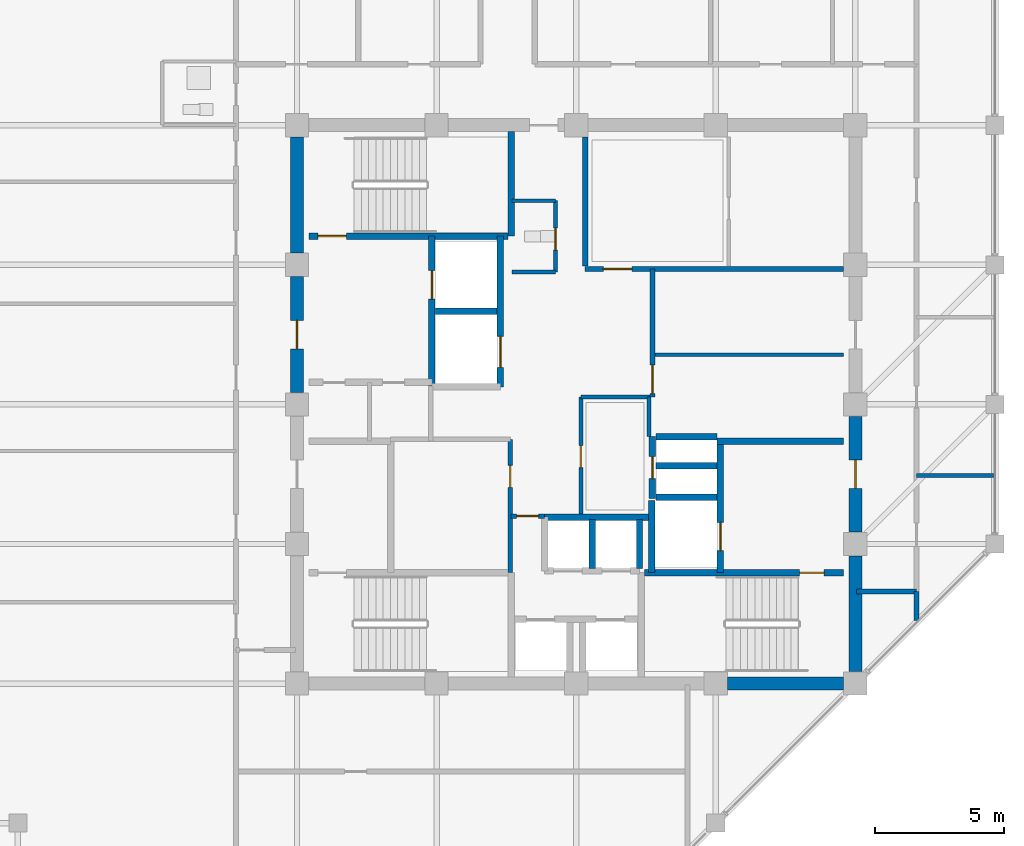
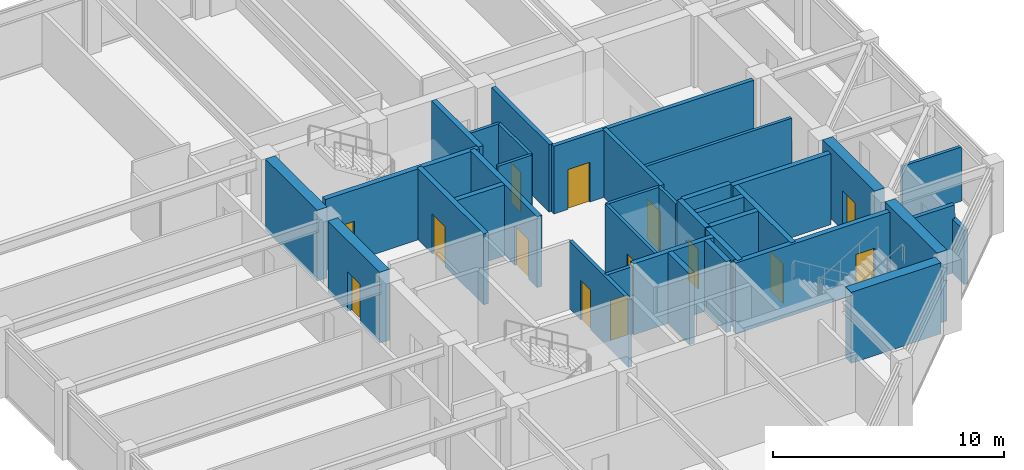
# One storey, part 27 of 31: 36 walls, 14 doors, 14 openings.
"""IFC4 building model written with IfcOpenShell, lengths in metres."""

from ifc_helpers import new_model, si_unit, direction, frame, frame_2d, origin, place, context, subcontext, project, spatial, rectangle, extrude, material, layer, layer_set, type_object, element, fill, save


model = new_model("IFC4")

# Units and contexts
model_context = context("Model", 3, precision=1e-05, world=origin(), true_north=direction((0.0, 1.0)))
body_context = subcontext(model_context, "Body", "Model", "MODEL_VIEW")
ifc_project = project(units=[si_unit("LENGTHUNIT", "METRE"), si_unit("AREAUNIT", "SQUARE_METRE"), si_unit("VOLUMEUNIT", "CUBIC_METRE"), si_unit("PLANEANGLEUNIT", "RADIAN"), si_unit("MASSUNIT", "GRAM", prefix="KILO")], contexts=[model_context])

# Site, building, storey
site_placement = place(None, origin())
site = spatial("IfcSite", under=ifc_project, at=site_placement, CompositionType="ELEMENT")
building_placement = place(site_placement, origin())
building = spatial("IfcBuilding", under=site, at=building_placement, Name="Surkhivell Harbour Commons", CompositionType="ELEMENT")
storey_placement = place(building_placement, frame((0.0, 0.0, 288.75)))
storey = spatial("IfcBuildingStorey", under=building, at=storey_placement, Name="L75", CompositionType="ELEMENT", Elevation=288.75)

# Wall
ifc_material_1 = material(Name="Concrete C50/60", Category="concrete")
ifc_layer_1 = layer(ifc_material_1, 0.5)
ifc_layer_set_1 = layer_set([ifc_layer_1], Name="Concrete C50/60")
wall_type_1 = type_object("IfcWallType", Name="WAL-CORE-500", PredefinedType="SHEAR", material=ifc_layer_set_1)
wall_1_placement = place(storey_placement, frame((10.800048828125, -10.340087890625, 0.0), z_axis=(0.0, 0.0, 1.0), x_axis=(0.0, 1.0, 0.0)))
element("IfcWall", 1, at=wall_1_placement, inside=storey, type_object=wall_type_1, Name="L75 Core Shear Wall East 1", PredefinedType="SHEAR", context=body_context, shape_type="SweptSolid", body=[
    extrude(rectangle(XDim=4.47998046875, YDim=0.5, at=frame_2d((2.239990234375, 0.0))), origin(), (0.0, 0.0, 1.0), 3.75),
])

# Wall, opening, door
wall_2_placement = place(storey_placement, frame((10.800048828125, -4.93994140625, 0.0), z_axis=(0.0, 0.0, 1.0), x_axis=(0.0, 1.0, 0.0)))
wall_2 = element("IfcWall", 2, at=wall_2_placement, inside=storey, type_object=wall_type_1, Name="L75 Core Shear Wall East 2", PredefinedType="SHEAR", context=body_context, shape_type="SweptSolid", body=[
    extrude(rectangle(XDim=4.47998046875, YDim=0.5, at=frame_2d((2.239990234375, 0.0))), origin(), (0.0, 0.0, 1.0), 3.75),
])
opening_1_placement = place(wall_2_placement, frame((1.68994140625, 0.0, 0.0)))
opening_1 = element("IfcOpeningElement", 3, at=opening_1_placement, cuts=wall_2, Name="Opening ID-1", PredefinedType="OPENING", context=body_context, shape_type="SweptSolid", body=[
    extrude(rectangle(XDim=1.10009765625, YDim=2.10009765625, at=frame_2d((0.550048828125, 1.050048828125))), frame((0.0, 0.260009765625, 0.0), z_axis=(0.0, -1.0, 0.0), x_axis=(1.0, 0.0, 0.0)), (0.0, 0.0, 1.0), 0.52001953125),
])
ifc_material_2 = material(Name="Hardwood-veneered fire-rated door leaf", Category="wood")
door_type_1 = type_object("IfcDoorType", Name="DOR-FD120-1100", OperationType="NOTDEFINED", PredefinedType="DOOR", material=ifc_material_2)
door_1_placement = place(opening_1_placement, origin())
door_1 = element("IfcDoor", 4, at=door_1_placement, inside=storey, type_object=door_type_1, Name="L75 Firefighting Lobby 2 Corridor Door", OperationType="SINGLE_SWING_RIGHT", OverallHeight=2.10009765625, OverallWidth=1.10009765625, PredefinedType="DOOR", context=body_context, shape_type="SweptSolid", body=[
    extrude(rectangle(XDim=1.10009765625, YDim=2.10009765625, at=frame_2d((0.550048828125, 1.050048828125))), frame((0.0, 0.02490234375, 0.0), z_axis=(0.0, -1.0, 0.0), x_axis=(1.0, 0.0, 0.0)), (0.0, 0.0, 1.0), 0.050048828125),
])
fill(opening_1, door_1)

wall_3_placement = place(storey_placement, frame((-10.800048828125, 0.4599609375, 0.0), z_axis=(0.0, 0.0, 1.0), x_axis=(0.0, 1.0, 0.0)))
wall_3 = element("IfcWall", 5, at=wall_3_placement, inside=storey, type_object=wall_type_1, Name="L75 Core Shear Wall West 3", PredefinedType="SHEAR", context=body_context, shape_type="SweptSolid", body=[
    extrude(rectangle(XDim=4.47998046875, YDim=0.5, at=frame_2d((2.239990234375, 0.0))), origin(), (0.0, 0.0, 1.0), 3.75),
])
opening_2_placement = place(wall_3_placement, frame((1.68994140625, 0.0, 0.0)))
opening_2 = element("IfcOpeningElement", 6, at=opening_2_placement, cuts=wall_3, Name="Opening ID-1", PredefinedType="OPENING", context=body_context, shape_type="SweptSolid", body=[
    extrude(rectangle(XDim=1.10009765625, YDim=2.10009765625, at=frame_2d((0.550048828125, 1.050048828125))), frame((0.0, 0.260009765625, 0.0), z_axis=(0.0, -1.0, 0.0), x_axis=(1.0, 0.0, 0.0)), (0.0, 0.0, 1.0), 0.52001953125),
])
door_2_placement = place(opening_2_placement, origin())
door_2 = element("IfcDoor", 7, at=door_2_placement, inside=storey, type_object=door_type_1, Name="L75 Firefighting Lobby 1 Corridor Door", OperationType="SINGLE_SWING_LEFT", OverallHeight=2.10009765625, OverallWidth=1.10009765625, PredefinedType="DOOR", context=body_context, shape_type="SweptSolid", body=[
    extrude(rectangle(XDim=1.10009765625, YDim=2.10009765625, at=frame_2d((0.550048828125, 1.050048828125))), frame((0.0, 0.02490234375, 0.0), z_axis=(0.0, -1.0, 0.0), x_axis=(1.0, 0.0, 0.0)), (0.0, 0.0, 1.0), 0.050048828125),
])
fill(opening_2, door_2)

# Walls
for number, where, z_axis, x_axis, name in (
    (8, (5.860107421875, -10.800048828125, 0.0), (0.0, 0.0, 1.0), (1.0, 0.0, 0.0), "L75 Core Shear Wall South 4"),
    (9, (-10.800048828125, 5.860107421875, 0.0), (0.0, 0.0, 1.0), (0.0, 1.0, 0.0), "L75 Core Shear Wall West 4"),
):
    element("IfcWall", number, at=place(storey_placement, frame(where, z_axis=z_axis, x_axis=x_axis)), inside=storey, type_object=wall_type_1, Name=name, PredefinedType="SHEAR", context=body_context, shape_type="SweptSolid", body=[
        extrude(rectangle(XDim=4.47998046875, YDim=0.5, at=frame_2d((2.239990234375, 0.0))), origin(), (0.0, 0.0, 1.0), 3.75),
    ])

# Wall, opening, door
ifc_material_3 = material(Name="Twin-stud acoustic fireboard partition", Category="other")
ifc_layer_2 = layer(ifc_material_3, 0.14990234375)
ifc_layer_set_2 = layer_set([ifc_layer_2], Name="Twin-stud acoustic fireboard partition")
wall_type_2 = type_object("IfcWallType", Name="WAL-INT-150", PredefinedType="PARTITIONING", material=ifc_layer_set_2)
wall_4_placement = place(storey_placement, frame((-0.800048828125, 5.1201171875, 0.0), z_axis=(0.0, 0.0, 1.0), x_axis=(0.0, 1.0, 0.0)))
wall_4 = element("IfcWall", 10, at=wall_4_placement, inside=storey, type_object=wall_type_2, Name="L75 Core Accessible WC East Wall", PredefinedType="PARTITIONING", context=body_context, shape_type="SweptSolid", body=[
    extrude(rectangle(XDim=2.759765625, YDim=0.14990234375, at=frame_2d((1.3798828125, 0.0))), origin(), (0.0, 0.0, 1.0), 3.570068359375),
])
opening_3_placement = place(wall_4_placement, frame((0.85009765625, 0.0, 0.0)))
opening_3 = element("IfcOpeningElement", 11, at=opening_3_placement, cuts=wall_4, Name="Opening ID-6", PredefinedType="OPENING", context=body_context, shape_type="SweptSolid", body=[
    extrude(rectangle(XDim=0.85009765625, YDim=2.10009765625, at=frame_2d((0.425048828125, 1.050048828125))), frame((0.0, 0.0849609375, 0.0), z_axis=(0.0, -1.0, 0.0), x_axis=(1.0, 0.0, 0.0)), (0.0, 0.0, 1.0), 0.169921875),
])
door_type_2 = type_object("IfcDoorType", Name="DOR-FD30-850", OperationType="NOTDEFINED", PredefinedType="DOOR", material=ifc_material_2)
door_3_placement = place(opening_3_placement, origin())
door_3 = element("IfcDoor", 12, at=door_3_placement, inside=storey, type_object=door_type_2, Name="L75 Floor Accessible WC Door", OperationType="SINGLE_SWING_LEFT", OverallHeight=2.10009765625, OverallWidth=0.85009765625, PredefinedType="DOOR", context=body_context, shape_type="SweptSolid", body=[
    extrude(rectangle(XDim=0.85009765625, YDim=2.10009765625, at=frame_2d((0.425048828125, 1.050048828125))), frame((0.0, 0.02490234375, 0.0), z_axis=(0.0, -1.0, 0.0), x_axis=(1.0, 0.0, 0.0)), (0.0, 0.0, 1.0), 0.050048828125),
])
fill(opening_3, door_3)

# Walls
for number, where, z_axis, x_axis, name in (
    (13, (-2.47998046875, 7.8798828125, 0.0), (0.0, 0.0, 1.0), (1.0, 0.0, 0.0), "L75 Core Accessible WC North Wall"),
    (14, (-2.47998046875, 5.1201171875, 0.0), (0.0, 0.0, 1.0), (1.0, 0.0, 0.0), "L75 Core Accessible WC South Wall"),
):
    element("IfcWall", number, at=place(storey_placement, frame(where, z_axis=z_axis, x_axis=x_axis)), inside=storey, type_object=wall_type_2, Name=name, PredefinedType="PARTITIONING", context=body_context, shape_type="SweptSolid", body=[
        extrude(rectangle(XDim=1.679931640625, YDim=0.14990234375, at=frame_2d((0.83984375, 0.0))), origin(), (0.0, 0.0, 1.0), 3.570068359375),
    ])
wall_5_placement = place(storey_placement, frame((2.820068359375, -1.25, 0.0), z_axis=(0.0, 0.0, 1.0), x_axis=(0.0, 1.0, 0.0)))
element("IfcWall", 15, at=wall_5_placement, inside=storey, type_object=wall_type_2, Name="L75 Central Music East Wall", PredefinedType="PARTITIONING", context=body_context, shape_type="SweptSolid", body=[
    extrude(rectangle(XDim=1.530029296875, YDim=0.14990234375, at=frame_2d((0.76513671875, 0.0))), origin(), (0.0, 0.0, 1.0), 3.570068359375),
])
wall_6_placement = place(storey_placement, frame((0.179931640625, 0.280029296875, 0.0), z_axis=(0.0, 0.0, 1.0), x_axis=(1.0, 0.0, 0.0)))
element("IfcWall", 16, at=wall_6_placement, inside=storey, type_object=wall_type_2, Name="L75 Central Music North Wall", PredefinedType="PARTITIONING", context=body_context, shape_type="SweptSolid", body=[
    extrude(rectangle(XDim=2.670166015625, YDim=0.14990234375, at=frame_2d((1.3349609375, 0.0))), origin(), (0.0, 0.0, 1.0), 3.570068359375),
])

# Wall, opening, door
wall_7_placement = place(storey_placement, frame((0.179931640625, -4.25, 0.0), z_axis=(0.0, 0.0, 1.0), x_axis=(0.0, 1.0, 0.0)))
wall_7 = element("IfcWall", 17, at=wall_7_placement, inside=storey, type_object=wall_type_2, Name="L75 Central Music West Wall", PredefinedType="PARTITIONING", context=body_context, shape_type="SweptSolid", body=[
    extrude(rectangle(XDim=4.530029296875, YDim=0.14990234375, at=frame_2d((2.26513671875, 0.0))), origin(), (0.0, 0.0, 1.0), 3.570068359375),
])
opening_4_placement = place(wall_7_placement, frame((1.800048828125, 0.0, 0.0)))
opening_4 = element("IfcOpeningElement", 18, at=opening_4_placement, cuts=wall_7, Name="Opening ID-6", PredefinedType="OPENING", context=body_context, shape_type="SweptSolid", body=[
    extrude(rectangle(XDim=0.85009765625, YDim=2.10009765625, at=frame_2d((0.425048828125, 1.050048828125))), frame((0.0, 0.0849609375, 0.0), z_axis=(0.0, -1.0, 0.0), x_axis=(1.0, 0.0, 0.0)), (0.0, 0.0, 1.0), 0.169921875),
])
door_4_placement = place(opening_4_placement, origin())
door_4 = element("IfcDoor", 19, at=door_4_placement, inside=storey, type_object=door_type_2, Name="L75 Central Music Door", OperationType="SINGLE_SWING_RIGHT", OverallHeight=2.10009765625, OverallWidth=0.85009765625, PredefinedType="DOOR", context=body_context, shape_type="SweptSolid", body=[
    extrude(rectangle(XDim=0.85009765625, YDim=2.10009765625, at=frame_2d((0.425048828125, 1.050048828125))), frame((0.0, 0.02490234375, 0.0), z_axis=(0.0, -1.0, 0.0), x_axis=(1.0, 0.0, 0.0)), (0.0, 0.0, 1.0), 0.050048828125),
])
fill(opening_4, door_4)

# Walls
wall_8_placement = place(storey_placement, frame((2.949951171875, 1.919921875, 0.0), z_axis=(0.0, 0.0, 1.0), x_axis=(1.0, 0.0, 0.0)))
element("IfcWall", 20, at=wall_8_placement, inside=storey, type_object=wall_type_2, Name="L75 Quiet Study Wall", PredefinedType="PARTITIONING", context=body_context, shape_type="SweptSolid", body=[
    extrude(rectangle(XDim=7.39013671875, YDim=0.14990234375, at=frame_2d((3.695068359375, 0.0))), origin(), (0.0, 0.0, 1.0), 3.570068359375),
])
wall_9_placement = place(storey_placement, frame((13.159912109375, -2.75, 0.0), z_axis=(0.0, 0.0, 1.0), x_axis=(1.0, 0.0, 0.0)))
element("IfcWall", 21, at=wall_9_placement, inside=storey, type_object=wall_type_2, Name="L75 East Partition P1", PredefinedType="PARTITIONING", context=body_context, shape_type="SweptSolid", body=[
    extrude(rectangle(XDim=2.97998046875, YDim=0.14990234375, at=frame_2d((1.489990234375, 0.0))), origin(), (0.0, 0.0, 1.0), 2.85693359375),
])

# Wall, opening, door
ifc_material_4 = material(Name="High-density acoustic blockwork fire partition", Category="masonry")
ifc_layer_3 = layer(ifc_material_4, 0.175048828125)
ifc_layer_set_3 = layer_set([ifc_layer_3], Name="High-density acoustic blockwork fire partition")
wall_type_3 = type_object("IfcWallType", Name="WAL-INT-175", PredefinedType="PARTITIONING", material=ifc_layer_set_3)
wall_10_placement = place(storey_placement, frame((-2.550048828125, -6.510009765625, 0.0), z_axis=(0.0, 0.0, 1.0), x_axis=(0.0, 1.0, 0.0)))
wall_10 = element("IfcWall", 22, at=wall_10_placement, inside=storey, type_object=wall_type_3, Name="L75 Core Service Bay East Wall", PredefinedType="PARTITIONING", context=body_context, shape_type="SweptSolid", body=[
    extrude(rectangle(XDim=5.159912109375, YDim=0.175048828125, at=frame_2d((2.580078125, 0.0))), origin(), (0.0, 0.0, 1.0), 3.570068359375),
])
opening_5_placement = place(wall_10_placement, frame((3.300048828125, 0.0, 0.0)))
opening_5 = element("IfcOpeningElement", 23, at=opening_5_placement, cuts=wall_10, Name="Opening ID-6", PredefinedType="OPENING", context=body_context, shape_type="SweptSolid", body=[
    extrude(rectangle(XDim=0.85009765625, YDim=2.10009765625, at=frame_2d((0.425048828125, 1.050048828125))), frame((0.0, 0.097412109375, 0.0), z_axis=(0.0, -1.0, 0.0), x_axis=(1.0, 0.0, 0.0)), (0.0, 0.0, 1.0), 0.195068359375),
])
door_5_placement = place(opening_5_placement, origin())
door_5 = element("IfcDoor", 24, at=door_5_placement, inside=storey, type_object=door_type_2, Name="L75 Core Quiet Reading Door", OperationType="SINGLE_SWING_RIGHT", OverallHeight=2.10009765625, OverallWidth=0.85009765625, PredefinedType="DOOR", context=body_context, shape_type="SweptSolid", body=[
    extrude(rectangle(XDim=0.85009765625, YDim=2.10009765625, at=frame_2d((0.425048828125, 1.050048828125))), frame((0.0, 0.02490234375, 0.0), z_axis=(0.0, -1.0, 0.0), x_axis=(1.0, 0.0, 0.0)), (0.0, 0.0, 1.0), 0.050048828125),
])
fill(opening_5, door_5)

wall_11_placement = place(storey_placement, frame((-2.52001953125, -4.320068359375, 0.0), z_axis=(0.0, 0.0, 1.0), x_axis=(1.0, 0.0, 0.0)))
wall_11 = element("IfcWall", 25, at=wall_11_placement, inside=storey, type_object=wall_type_3, Name="L75 High-Rise Lobby North Portal Wall", PredefinedType="PARTITIONING", context=body_context, shape_type="SweptSolid", body=[
    extrude(rectangle(XDim=1.300048828125, YDim=0.175048828125, at=frame_2d((0.64990234375, 0.0))), origin(), (0.0, 0.0, 1.0), 3.570068359375),
])
opening_6_placement = place(wall_11_placement, frame((0.219970703125, 0.0, 0.0)))
opening_6 = element("IfcOpeningElement", 26, at=opening_6_placement, cuts=wall_11, Name="Opening ID-6", PredefinedType="OPENING", context=body_context, shape_type="SweptSolid", body=[
    extrude(rectangle(XDim=0.85009765625, YDim=2.10009765625, at=frame_2d((0.425048828125, 1.050048828125))), frame((0.0, 0.097412109375, 0.0), z_axis=(0.0, -1.0, 0.0), x_axis=(1.0, 0.0, 0.0)), (0.0, 0.0, 1.0), 0.195068359375),
])
door_6_placement = place(opening_6_placement, origin())
door_6 = element("IfcDoor", 27, at=door_6_placement, inside=storey, type_object=door_type_2, Name="L75 High-Rise Lift Lobby North Door", OperationType="SINGLE_SWING_LEFT", OverallHeight=2.10009765625, OverallWidth=0.85009765625, PredefinedType="DOOR", context=body_context, shape_type="SweptSolid", body=[
    extrude(rectangle(XDim=0.85009765625, YDim=2.10009765625, at=frame_2d((0.425048828125, 1.050048828125))), frame((0.0, 0.02490234375, 0.0), z_axis=(0.0, -1.0, 0.0), x_axis=(1.0, 0.0, 0.0)), (0.0, 0.0, 1.0), 0.050048828125),
])
fill(opening_6, door_6)

ifc_material_5 = material(Name="Autoclaved aerated concrete blockwork and fire plaster", Category="masonry")
ifc_layer_4 = layer(ifc_material_5, 0.199951171875)
ifc_layer_set_4 = layer_set([ifc_layer_4], Name="Autoclaved aerated concrete blockwork and fire plaster")
wall_type_4 = type_object("IfcWallType", Name="WAL-INT-200", PredefinedType="PARTITIONING", material=ifc_layer_set_4)
wall_12_placement = place(storey_placement, frame((0.35009765625, 5.239990234375, 0.0), z_axis=(0.0, 0.0, 1.0), x_axis=(1.0, 0.0, 0.0)))
wall_12 = element("IfcWall", 28, at=wall_12_placement, inside=storey, type_object=wall_type_4, Name="L75 Reclaimed Core North Bay South Wall", PredefinedType="PARTITIONING", context=body_context, shape_type="SweptSolid", body=[
    extrude(rectangle(XDim=9.989990234375, YDim=0.199951171875, at=frame_2d((4.9951171875, 0.0))), origin(), (0.0, 0.0, 1.0), 3.570068359375),
])
opening_7_placement = place(wall_12_placement, frame((0.699951171875, 0.0, 0.0)))
opening_7 = element("IfcOpeningElement", 29, at=opening_7_placement, cuts=wall_12, Name="Opening ID-2", PredefinedType="OPENING", context=body_context, shape_type="SweptSolid", body=[
    extrude(rectangle(XDim=1.10009765625, YDim=2.10009765625, at=frame_2d((0.550048828125, 1.050048828125))), frame((0.0, 0.10986328125, 0.0), z_axis=(0.0, -1.0, 0.0), x_axis=(1.0, 0.0, 0.0)), (0.0, 0.0, 1.0), 0.219970703125),
])
door_type_3 = type_object("IfcDoorType", Name="DOR-FD60-1100", OperationType="NOTDEFINED", PredefinedType="DOOR", material=ifc_material_2)
door_7_placement = place(opening_7_placement, origin())
door_7 = element("IfcDoor", 30, at=door_7_placement, inside=storey, type_object=door_type_3, Name="L75 Core Seminar Door", OperationType="SINGLE_SWING_LEFT", OverallHeight=2.10009765625, OverallWidth=1.10009765625, PredefinedType="DOOR", context=body_context, shape_type="SweptSolid", body=[
    extrude(rectangle(XDim=1.10009765625, YDim=2.10009765625, at=frame_2d((0.550048828125, 1.050048828125))), frame((0.0, 0.02490234375, 0.0), z_axis=(0.0, -1.0, 0.0), x_axis=(1.0, 0.0, 0.0)), (0.0, 0.0, 1.0), 0.050048828125),
])
fill(opening_7, door_7)

# Walls
wall_13_placement = place(storey_placement, frame((0.35009765625, 5.360107421875, 0.0), z_axis=(0.0, 0.0, 1.0), x_axis=(0.0, 1.0, 0.0)))
element("IfcWall", 31, at=wall_13_placement, inside=storey, type_object=wall_type_4, Name="L75 Reclaimed Core North Bay West Wall", PredefinedType="PARTITIONING", context=body_context, shape_type="SweptSolid", body=[
    extrude(rectangle(XDim=4.97998046875, YDim=0.199951171875, at=frame_2d((2.489990234375, 0.0))), origin(), (0.0, 0.0, 1.0), 3.570068359375),
])
wall_14_placement = place(storey_placement, frame((13.159912109375, -8.355224609375, 0.0), z_axis=(0.0, 0.0, 1.0), x_axis=(0.0, 1.0, 0.0)))
element("IfcWall", 32, at=wall_14_placement, inside=storey, type_object=wall_type_4, Name="L75 East Wing South Closure Wall", PredefinedType="PARTITIONING", context=body_context, shape_type="SweptSolid", body=[
    extrude(rectangle(XDim=1.115234375, YDim=0.199951171875, at=frame_2d((0.5576171875, 0.0))), origin(), (0.0, 0.0, 1.0), 2.85693359375),
])
wall_15_placement = place(storey_placement, frame((10.85009765625, -7.239990234375, 0.0), z_axis=(0.0, 0.0, 1.0), x_axis=(1.0, 0.0, 0.0)))
element("IfcWall", 33, at=wall_15_placement, inside=storey, type_object=wall_type_4, Name="L75 East Corridor South Closure Wall", PredefinedType="PARTITIONING", context=body_context, shape_type="SweptSolid", body=[
    extrude(rectangle(XDim=2.309814453125, YDim=0.199951171875, at=frame_2d((1.15478515625, 0.0))), origin(), (0.0, 0.0, 1.0), 3.570068359375),
])

# Wall, opening, door
wall_16_placement = place(storey_placement, frame((2.949951171875, 0.280029296875, 0.0), z_axis=(0.0, 0.0, 1.0), x_axis=(0.0, 1.0, 0.0)))
wall_16 = element("IfcWall", 34, at=wall_16_placement, inside=storey, type_object=wall_type_4, Name="L75 Reclaimed East Core West Wall", PredefinedType="PARTITIONING", context=body_context, shape_type="SweptSolid", body=[
    extrude(rectangle(XDim=4.9599609375, YDim=0.199951171875, at=frame_2d((2.47998046875, 0.0))), origin(), (0.0, 0.0, 1.0), 3.570068359375),
])
opening_8_placement = place(wall_16_placement, frame((0.139892578125, 0.0, 0.0)))
opening_8 = element("IfcOpeningElement", 35, at=opening_8_placement, cuts=wall_16, Name="Opening ID-2", PredefinedType="OPENING", context=body_context, shape_type="SweptSolid", body=[
    extrude(rectangle(XDim=1.10009765625, YDim=2.10009765625, at=frame_2d((0.550048828125, 1.050048828125))), frame((0.0, 0.10986328125, 0.0), z_axis=(0.0, -1.0, 0.0), x_axis=(1.0, 0.0, 0.0)), (0.0, 0.0, 1.0), 0.219970703125),
])
door_8_placement = place(opening_8_placement, origin())
door_8 = element("IfcDoor", 36, at=door_8_placement, inside=storey, type_object=door_type_3, Name="L75 Quiet Study A Door", OperationType="SINGLE_SWING_LEFT", OverallHeight=2.10009765625, OverallWidth=1.10009765625, PredefinedType="DOOR", context=body_context, shape_type="SweptSolid", body=[
    extrude(rectangle(XDim=1.10009765625, YDim=2.10009765625, at=frame_2d((0.550048828125, 1.050048828125))), frame((0.0, 0.02490234375, 0.0), z_axis=(0.0, -1.0, 0.0), x_axis=(1.0, 0.0, 0.0)), (0.0, 0.0, 1.0), 0.050048828125),
])
fill(opening_8, door_8)

ifc_layer_5 = layer(ifc_material_1, 0.25)
ifc_layer_set_5 = layer_set([ifc_layer_5], Name="Concrete C50/60")
wall_type_5 = type_object("IfcWallType", Name="WAL-SHAFT-250", PredefinedType="SHEAR", material=ifc_layer_set_5)
wall_17_placement = place(storey_placement, frame((-5.580078125, 0.719970703125, 0.0), z_axis=(0.0, 0.0, 1.0), x_axis=(0.0, 1.0, 0.0)))
wall_17 = element("IfcWall", 37, at=wall_17_placement, inside=storey, type_object=wall_type_5, Name="L75 Firefighting Lobby 1 East Shaft Wall", PredefinedType="SHEAR", context=body_context, shape_type="SweptSolid", body=[
    extrude(rectangle(XDim=5.7900390625, YDim=0.25, at=frame_2d((2.89501953125, 0.0))), origin(), (0.0, 0.0, 1.0), 3.75),
])
opening_9_placement = place(wall_17_placement, frame((3.35009765625, 0.0, 0.0)))
opening_9 = element("IfcOpeningElement", 38, at=opening_9_placement, cuts=wall_17, Name="Opening LD-1", PredefinedType="OPENING", context=body_context, shape_type="SweptSolid", body=[
    extrude(rectangle(XDim=1.10009765625, YDim=2.10009765625, at=frame_2d((0.550048828125, 1.050048828125))), frame((0.0, 0.135009765625, 0.0), z_axis=(0.0, -1.0, 0.0), x_axis=(1.0, 0.0, 0.0)), (0.0, 0.0, 1.0), 0.27001953125),
])
ifc_material_6 = material(Name="Brushed stainless steel S355", Category="steel")
door_type_4 = type_object("IfcDoorType", Name="DOR-LD-1100", OperationType="SLIDING_TO_LEFT", PredefinedType="DOOR", material=ifc_material_6)
door_9_placement = place(opening_9_placement, origin())
door_9 = element("IfcDoor", 39, at=door_9_placement, inside=storey, type_object=door_type_4, Name="L75 Lift Landing Door LD-FFL1", OperationType="SLIDING_TO_LEFT", OverallHeight=2.10009765625, OverallWidth=1.10009765625, PredefinedType="DOOR", context=body_context, shape_type="SweptSolid", body=[
    extrude(rectangle(XDim=1.10009765625, YDim=2.10009765625, at=frame_2d((0.550048828125, 1.050048828125))), frame((0.0, 0.02490234375, 0.0), z_axis=(0.0, -1.0, 0.0), x_axis=(1.0, 0.0, 0.0)), (0.0, 0.0, 1.0), 0.050048828125),
])
fill(opening_9, door_9)

# Walls
wall_18_placement = place(storey_placement, frame((2.929931640625, -6.510009765625, 0.0), z_axis=(0.0, 0.0, 1.0), x_axis=(0.0, 1.0, 0.0)))
element("IfcWall", 40, at=wall_18_placement, inside=storey, type_object=wall_type_5, Name="L75 FFL2 West Shaft Wall", PredefinedType="SHEAR", context=body_context, shape_type="SweptSolid", body=[
    extrude(rectangle(XDim=2.7900390625, YDim=0.25, at=frame_2d((1.39501953125, 0.0))), origin(), (0.0, 0.0, 1.0), 3.75),
])
wall_19_placement = place(storey_placement, frame((5.43994140625, -1.419921875, 0.0), z_axis=(0.0, 0.0, 1.0), x_axis=(1.0, 0.0, 0.0)))
element("IfcWall", 41, at=wall_19_placement, inside=storey, type_object=wall_type_5, Name="L75 Firefighting Lobby 2 North Wall", PredefinedType="SHEAR", context=body_context, shape_type="SweptSolid", body=[
    extrude(rectangle(XDim=4.900146484375, YDim=0.25, at=frame_2d((2.4501953125, 0.0))), origin(), (0.0, 0.0, 1.0), 3.75),
])
wall_20_placement = place(storey_placement, frame((3.080078125, -3.60009765625, 0.0), z_axis=(0.0, 0.0, 1.0), x_axis=(1.0, 0.0, 0.0)))
element("IfcWall", 42, at=wall_20_placement, inside=storey, type_object=wall_type_5, Name="L75 FFL2 North Shaft Wall", PredefinedType="SHEAR", context=body_context, shape_type="SweptSolid", body=[
    extrude(rectangle(XDim=2.369873046875, YDim=0.25, at=frame_2d((1.18505859375, 0.0))), origin(), (0.0, 0.0, 1.0), 3.75),
])

# Wall, opening, door
wall_21_placement = place(storey_placement, frame((5.580078125, -6.510009765625, 0.0), z_axis=(0.0, 0.0, 1.0), x_axis=(0.0, 1.0, 0.0)))
wall_21 = element("IfcWall", 43, at=wall_21_placement, inside=storey, type_object=wall_type_5, Name="L75 Firefighting Lobby 2 West Shaft Wall", PredefinedType="SHEAR", context=body_context, shape_type="SweptSolid", body=[
    extrude(rectangle(XDim=5.090087890625, YDim=0.25, at=frame_2d((2.544921875, 0.0))), origin(), (0.0, 0.0, 1.0), 3.75),
])
opening_10_placement = place(wall_21_placement, frame((0.85009765625, 0.0, 0.0)))
opening_10 = element("IfcOpeningElement", 44, at=opening_10_placement, cuts=wall_21, Name="Opening LD-1", PredefinedType="OPENING", context=body_context, shape_type="SweptSolid", body=[
    extrude(rectangle(XDim=1.10009765625, YDim=2.10009765625, at=frame_2d((0.550048828125, 1.050048828125))), frame((0.0, 0.135009765625, 0.0), z_axis=(0.0, -1.0, 0.0), x_axis=(1.0, 0.0, 0.0)), (0.0, 0.0, 1.0), 0.27001953125),
])
door_10_placement = place(opening_10_placement, origin())
door_10 = element("IfcDoor", 45, at=door_10_placement, inside=storey, type_object=door_type_4, Name="L75 Lift Landing Door LD-FFL2", OperationType="SLIDING_TO_RIGHT", OverallHeight=2.10009765625, OverallWidth=1.10009765625, PredefinedType="DOOR", context=body_context, shape_type="SweptSolid", body=[
    extrude(rectangle(XDim=1.10009765625, YDim=2.10009765625, at=frame_2d((0.550048828125, 1.050048828125))), frame((0.0, 0.02490234375, 0.0), z_axis=(0.0, -1.0, 0.0), x_axis=(1.0, 0.0, 0.0)), (0.0, 0.0, 1.0), 0.050048828125),
])
fill(opening_10, door_10)

# Walls
for number, where, z_axis, x_axis, name in (
    (46, (0.6201171875, -6.340087890625, 0.0), (0.0, 0.0, 1.0), (0.0, 1.0, 0.0), "L75 High-Rise Side Wall N"),
    (47, (2.449951171875, -6.340087890625, 0.0), (0.0, 0.0, 1.0), (0.0, 1.0, 0.0), "L75 High-Rise Side Wall N"),
):
    element("IfcWall", number, at=place(storey_placement, frame(where, z_axis=z_axis, x_axis=x_axis)), inside=storey, type_object=wall_type_5, Name=name, PredefinedType="SHEAR", context=body_context, shape_type="SweptSolid", body=[
        extrude(rectangle(XDim=1.880126953125, YDim=0.25, at=frame_2d((0.93994140625, 0.0))), origin(), (0.0, 0.0, 1.0), 3.75),
    ])
wall_22_placement = place(storey_placement, frame((-1.219970703125, -4.360107421875, 0.0), z_axis=(0.0, 0.0, 1.0), x_axis=(1.0, 0.0, 0.0)))
element("IfcWall", 48, at=wall_22_placement, inside=storey, type_object=wall_type_5, Name="L75 High-Rise North Back Shaft Wall", PredefinedType="SHEAR", context=body_context, shape_type="SweptSolid", body=[
    extrude(rectangle(XDim=4.030029296875, YDim=0.25, at=frame_2d((2.01513671875, 0.0))), origin(), (0.0, 0.0, 1.0), 3.75),
])
for number, where, z_axis, x_axis, name in (
    (49, (3.080078125, -2.3798828125, 0.0), (0.0, 0.0, 1.0), (1.0, 0.0, 0.0), "L75 Riser Divider Wall"),
    (50, (3.080078125, -1.25, 0.0), (0.0, 0.0, 1.0), (1.0, 0.0, 0.0), "L75 Riser North Wall"),
):
    element("IfcWall", number, at=place(storey_placement, frame(where, z_axis=z_axis, x_axis=x_axis)), inside=storey, type_object=wall_type_5, Name=name, PredefinedType="SHEAR", context=body_context, shape_type="SweptSolid", body=[
        extrude(rectangle(XDim=2.369873046875, YDim=0.25, at=frame_2d((1.18505859375, 0.0))), origin(), (0.0, 0.0, 1.0), 3.75),
    ])

# Wall, opening, door
wall_23_placement = place(storey_placement, frame((2.949951171875, -3.64990234375, 0.0), z_axis=(0.0, 0.0, 1.0), x_axis=(0.0, 1.0, 0.0)))
wall_23 = element("IfcWall", 51, at=wall_23_placement, inside=storey, type_object=wall_type_5, Name="L75 Riser Shaft West Wall", PredefinedType="SHEAR", context=body_context, shape_type="SweptSolid", body=[
    extrude(rectangle(XDim=2.39990234375, YDim=0.25, at=frame_2d((1.199951171875, 0.0))), origin(), (0.0, 0.0, 1.0), 3.75),
])
opening_11_placement = place(wall_23_placement, frame((0.77490234375, 0.0, 0.0)))
opening_11 = element("IfcOpeningElement", 52, at=opening_11_placement, cuts=wall_23, Name="Opening ID-6", PredefinedType="OPENING", context=body_context, shape_type="SweptSolid", body=[
    extrude(rectangle(XDim=0.85009765625, YDim=2.10009765625, at=frame_2d((0.425048828125, 1.050048828125))), frame((0.0, 0.135009765625, 0.0), z_axis=(0.0, -1.0, 0.0), x_axis=(1.0, 0.0, 0.0)), (0.0, 0.0, 1.0), 0.27001953125),
])
door_11_placement = place(opening_11_placement, origin())
door_11 = element("IfcDoor", 53, at=door_11_placement, inside=storey, type_object=door_type_2, Name="L75 Electrical Riser Access Door", OperationType="SINGLE_SWING_LEFT", OverallHeight=2.10009765625, OverallWidth=0.85009765625, PredefinedType="DOOR", context=body_context, shape_type="SweptSolid", body=[
    extrude(rectangle(XDim=0.85009765625, YDim=2.10009765625, at=frame_2d((0.425048828125, 1.050048828125))), frame((0.0, 0.02490234375, 0.0), z_axis=(0.0, -1.0, 0.0), x_axis=(1.0, 0.0, 0.0)), (0.0, 0.0, 1.0), 0.050048828125),
])
fill(opening_11, door_11)

# Wall
wall_24_placement = place(storey_placement, frame((-2.510009765625, 6.510009765625, 0.0), z_axis=(0.0, 0.0, 1.0), x_axis=(0.0, 1.0, 0.0)))
element("IfcWall", 54, at=wall_24_placement, inside=storey, type_object=wall_type_5, Name="L75 Stair ST1 East Shear Wall", PredefinedType="SHEAR", context=body_context, shape_type="SweptSolid", body=[
    extrude(rectangle(XDim=4.0400390625, YDim=0.25, at=frame_2d((2.02001953125, 0.0))), origin(), (0.0, 0.0, 1.0), 3.75),
])

# Wall, opening, door
wall_25_placement = place(storey_placement, frame((-10.340087890625, 6.510009765625, 0.0), z_axis=(0.0, 0.0, 1.0), x_axis=(1.0, 0.0, 0.0)))
wall_25 = element("IfcWall", 55, at=wall_25_placement, inside=storey, type_object=wall_type_5, Name="L75 Stair ST1 South Shear Wall", PredefinedType="SHEAR", context=body_context, shape_type="SweptSolid", body=[
    extrude(rectangle(XDim=7.7001953125, YDim=0.25, at=frame_2d((3.85009765625, 0.0))), origin(), (0.0, 0.0, 1.0), 3.75),
])
opening_12_placement = place(wall_25_placement, frame((0.35009765625, 0.0, 0.0)))
opening_12 = element("IfcOpeningElement", 56, at=opening_12_placement, cuts=wall_25, Name="Opening ID-2", PredefinedType="OPENING", context=body_context, shape_type="SweptSolid", body=[
    extrude(rectangle(XDim=1.10009765625, YDim=2.10009765625, at=frame_2d((0.550048828125, 1.050048828125))), frame((0.0, 0.135009765625, 0.0), z_axis=(0.0, -1.0, 0.0), x_axis=(1.0, 0.0, 0.0)), (0.0, 0.0, 1.0), 0.27001953125),
])
door_12_placement = place(opening_12_placement, origin())
door_12 = element("IfcDoor", 57, at=door_12_placement, inside=storey, type_object=door_type_3, Name="L75 Stair ST1 Exit Door", OperationType="SINGLE_SWING_LEFT", OverallHeight=2.10009765625, OverallWidth=1.10009765625, PredefinedType="DOOR", context=body_context, shape_type="SweptSolid", body=[
    extrude(rectangle(XDim=1.10009765625, YDim=2.10009765625, at=frame_2d((0.550048828125, 1.050048828125))), frame((0.0, 0.02490234375, 0.0), z_axis=(0.0, -1.0, 0.0), x_axis=(1.0, 0.0, 0.0)), (0.0, 0.0, 1.0), 0.050048828125),
])
fill(opening_12, door_12)

wall_26_placement = place(storey_placement, frame((2.639892578125, -6.510009765625, 0.0), z_axis=(0.0, 0.0, 1.0), x_axis=(1.0, 0.0, 0.0)))
wall_26 = element("IfcWall", 58, at=wall_26_placement, inside=storey, type_object=wall_type_5, Name="L75 Stair ST2 North Shear Wall", PredefinedType="SHEAR", context=body_context, shape_type="SweptSolid", body=[
    extrude(rectangle(XDim=7.7001953125, YDim=0.25, at=frame_2d((3.85009765625, 0.0))), origin(), (0.0, 0.0, 1.0), 3.75),
])
opening_13_placement = place(wall_26_placement, frame((6.0, 0.0, 0.0)))
opening_13 = element("IfcOpeningElement", 59, at=opening_13_placement, cuts=wall_26, Name="Opening ID-4", PredefinedType="OPENING", context=body_context, shape_type="SweptSolid", body=[
    extrude(rectangle(XDim=0.949951171875, YDim=2.10009765625, at=frame_2d((0.47509765625, 1.050048828125))), frame((0.0, 0.135009765625, 0.0), z_axis=(0.0, -1.0, 0.0), x_axis=(1.0, 0.0, 0.0)), (0.0, 0.0, 1.0), 0.27001953125),
])
door_type_5 = type_object("IfcDoorType", Name="DOR-FD60-950", OperationType="NOTDEFINED", PredefinedType="DOOR", material=ifc_material_2)
door_13_placement = place(opening_13_placement, origin())
door_13 = element("IfcDoor", 60, at=door_13_placement, inside=storey, type_object=door_type_5, Name="L75 Stair ST2 Exit Door", OperationType="SINGLE_SWING_RIGHT", OverallHeight=2.10009765625, OverallWidth=0.949951171875, PredefinedType="DOOR", context=body_context, shape_type="SweptSolid", body=[
    extrude(rectangle(XDim=0.949951171875, YDim=2.10009765625, at=frame_2d((0.47509765625, 1.050048828125))), frame((0.0, 0.02490234375, 0.0), z_axis=(0.0, -1.0, 0.0), x_axis=(1.0, 0.0, 0.0)), (0.0, 0.0, 1.0), 0.050048828125),
])
fill(opening_13, door_13)

wall_27_placement = place(storey_placement, frame((-2.929931640625, 0.679931640625, 0.0), z_axis=(0.0, 0.0, 1.0), x_axis=(0.0, 1.0, 0.0)))
wall_27 = element("IfcWall", 61, at=wall_27_placement, inside=storey, type_object=wall_type_5, Name="L75 Service and Fire Lift East Shaft Wall", PredefinedType="SHEAR", context=body_context, shape_type="SweptSolid", body=[
    extrude(rectangle(XDim=5.830078125, YDim=0.25, at=frame_2d((2.9150390625, 0.0))), origin(), (0.0, 0.0, 1.0), 3.75),
])
opening_14_placement = place(wall_27_placement, frame((0.75, 0.0, 0.0)))
opening_14 = element("IfcOpeningElement", 62, at=opening_14_placement, cuts=wall_27, Name="Opening LD-2", PredefinedType="OPENING", context=body_context, shape_type="SweptSolid", body=[
    extrude(rectangle(XDim=1.199951171875, YDim=2.10009765625, at=frame_2d((0.60009765625, 1.050048828125))), frame((0.0, 0.135009765625, 0.0), z_axis=(0.0, -1.0, 0.0), x_axis=(1.0, 0.0, 0.0)), (0.0, 0.0, 1.0), 0.27001953125),
])
door_type_6 = type_object("IfcDoorType", Name="DOR-LD-1200", OperationType="SLIDING_TO_LEFT", PredefinedType="DOOR", material=ifc_material_6)
door_14_placement = place(opening_14_placement, origin())
door_14 = element("IfcDoor", 63, at=door_14_placement, inside=storey, type_object=door_type_6, Name="L75 Lift Landing Door LD-SVL1", OperationType="SLIDING_TO_LEFT", OverallHeight=2.10009765625, OverallWidth=1.199951171875, PredefinedType="DOOR", context=body_context, shape_type="SweptSolid", body=[
    extrude(rectangle(XDim=1.199951171875, YDim=2.10009765625, at=frame_2d((0.60009765625, 1.050048828125))), frame((0.0, 0.02490234375, 0.0), z_axis=(0.0, -1.0, 0.0), x_axis=(1.0, 0.0, 0.0)), (0.0, 0.0, 1.0), 0.050048828125),
])
fill(opening_14, door_14)

# Wall
wall_28_placement = place(storey_placement, frame((-5.449951171875, 3.60009765625, 0.0), z_axis=(0.0, 0.0, 1.0), x_axis=(1.0, 0.0, 0.0)))
element("IfcWall", 64, at=wall_28_placement, inside=storey, type_object=wall_type_5, Name="L75 FFL1/SVL1 Shaft Divider", PredefinedType="SHEAR", context=body_context, shape_type="SweptSolid", body=[
    extrude(rectangle(XDim=2.389892578125, YDim=0.25, at=frame_2d((1.19482421875, 0.0))), origin(), (0.0, 0.0, 1.0), 3.75),
])

save(model, "model.ifc")
